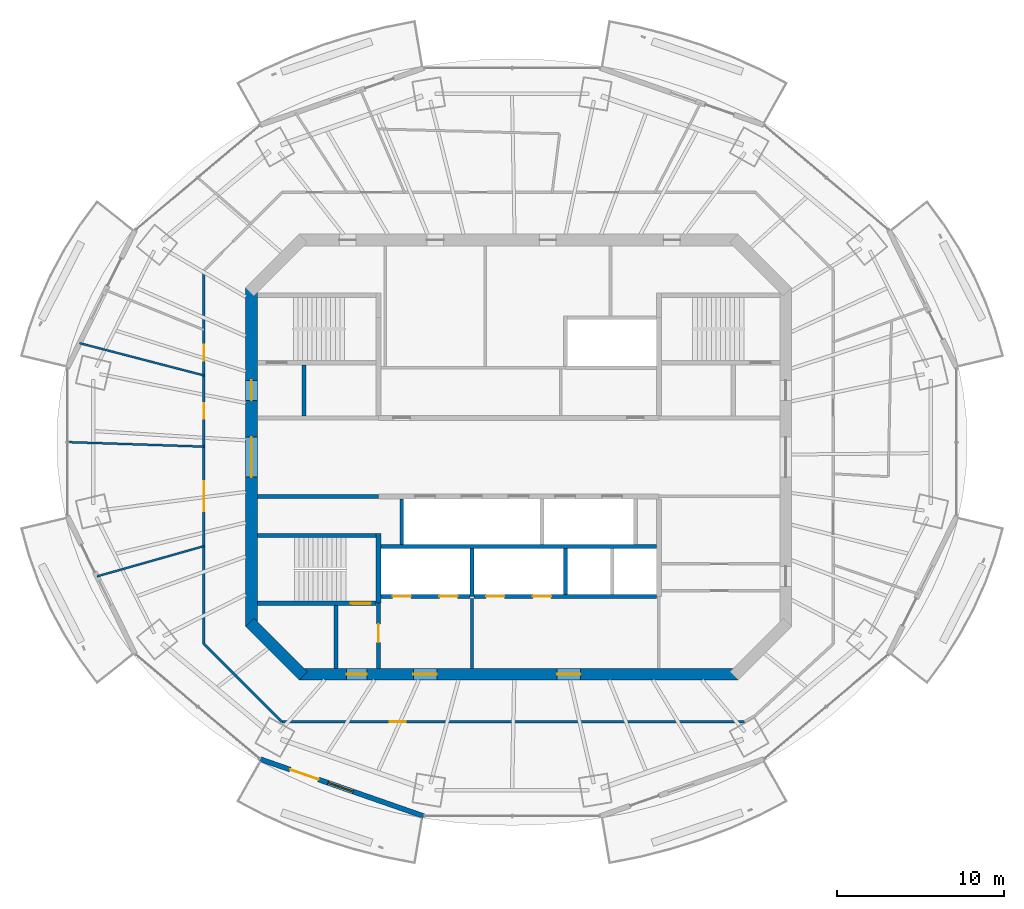
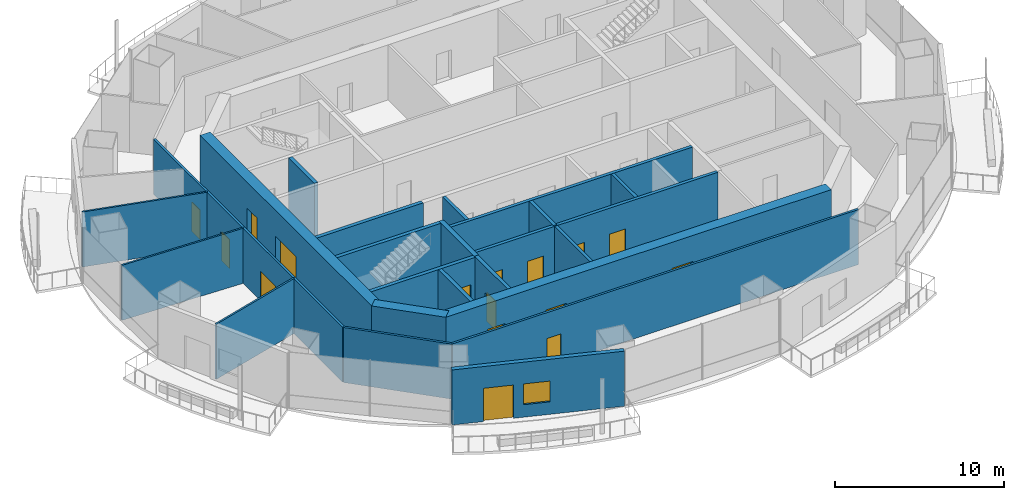
# One storey, part 8 of 16: 24 walls, 16 doors, 1 window, 17 openings.
"""IFC4 building model written with IfcOpenShell, lengths in metres."""

from ifc_helpers import new_model, si_unit, direction, frame, frame_2d, origin, place, context, subcontext, project, spatial, rectangle, extrude, material, layer, layer_set, type_object, element, fill, save


model = new_model("IFC4")

# Units and contexts
model_context = context("Model", 3, precision=1e-05, world=origin(), true_north=direction((0.0, 1.0)))
body_context = subcontext(model_context, "Body", "Model", "MODEL_VIEW")
ifc_project = project(units=[si_unit("LENGTHUNIT", "METRE"), si_unit("AREAUNIT", "SQUARE_METRE"), si_unit("VOLUMEUNIT", "CUBIC_METRE"), si_unit("PLANEANGLEUNIT", "RADIAN"), si_unit("MASSUNIT", "GRAM", prefix="KILO")], contexts=[model_context])

# Site, building, storey
site_placement = place(None, origin())
site = spatial("IfcSite", under=ifc_project, at=site_placement, CompositionType="ELEMENT")
building_placement = place(site_placement, origin())
building = spatial("IfcBuilding", under=site, at=building_placement, Name="Marenthal Gate Tower", CompositionType="ELEMENT")
storey_placement = place(building_placement, frame((0.0, 0.0, 334.300048828125)))
storey = spatial("IfcBuildingStorey", under=building, at=storey_placement, Name="L75", CompositionType="ELEMENT", Elevation=334.300048828125)

# Wall, openings, doors
ifc_material_1 = material(Name="Concrete 60 MPa", Category="concrete")
ifc_layer_1 = layer(ifc_material_1, 0.699951171875)
ifc_layer_set_1 = layer_set([ifc_layer_1], Name="Core shear wall 700")
wall_type_1 = type_object("IfcWallType", Name="Core shear wall 700", PredefinedType="SHEAR", material=ifc_layer_set_1)
wall_1_placement = place(storey_placement, frame((-16.0, 10.14501953125, -0.179931640625), z_axis=(0.0, 0.0, 1.0), x_axis=(0.0, -1.0, 0.0)))
wall_1 = element("IfcWall", 1, at=wall_1_placement, inside=storey, type_object=wall_type_1, Name="Core wall 06", PredefinedType="SHEAR", context=body_context, shape_type="SweptSolid", body=[
    extrude(rectangle(XDim=20.2900390625, YDim=0.699951171875, at=frame_2d((10.14501953125, 0.0))), origin(), (0.0, 0.0, 1.0), 4.14990234375),
])
opening_1_placement = place(wall_1_placement, frame((8.945068359375, 0.0, 0.179931640625)))
opening_1 = element("IfcOpeningElement", 2, at=opening_1_placement, cuts=wall_1, Name="Opening D003.01", PredefinedType="OPENING", context=body_context, shape_type="SweptSolid", body=[
    extrude(rectangle(XDim=2.39990234375, YDim=2.10009765625, at=frame_2d((1.199951171875, 1.050048828125))), frame((0.0, 0.35986328125, 0.0), z_axis=(0.0, -1.0, 0.0), x_axis=(1.0, 0.0, 0.0)), (0.0, 0.0, 1.0), 0.719970703125),
])
opening_2_placement = place(wall_1_placement, frame((5.544921875, 0.0, 0.179931640625)))
opening_2 = element("IfcOpeningElement", 3, at=opening_2_placement, cuts=wall_1, Name="Opening D001.04", PredefinedType="OPENING", context=body_context, shape_type="SweptSolid", body=[
    extrude(rectangle(XDim=1.199951171875, YDim=2.10009765625, at=frame_2d((0.60009765625, 1.050048828125))), frame((0.0, 0.35986328125, 0.0), z_axis=(0.0, -1.0, 0.0), x_axis=(1.0, 0.0, 0.0)), (0.0, 0.0, 1.0), 0.719970703125),
])
ifc_material_2 = material(Name="Steel fire door", Category="steel")
door_type_1 = type_object("IfcDoorType", Name="Double fire door FD 45 2400 x 2100", OperationType="DOUBLE_DOOR_SINGLE_SWING", PredefinedType="DOOR", material=ifc_material_2)
door_1_placement = place(opening_1_placement, origin())
door_1 = element("IfcDoor", 4, at=door_1_placement, inside=storey, type_object=door_type_1, Name="Door D003.01", OperationType="DOUBLE_DOOR_SINGLE_SWING", OverallHeight=2.10009765625, OverallWidth=2.39990234375, PredefinedType="DOOR", context=body_context, shape_type="SweptSolid", body=[
    extrude(rectangle(XDim=2.39990234375, YDim=2.10009765625, at=frame_2d((1.199951171875, 1.050048828125))), frame((0.0, 0.02490234375, 0.0), z_axis=(0.0, -1.0, 0.0), x_axis=(1.0, 0.0, 0.0)), (0.0, 0.0, 1.0), 0.050048828125),
])
fill(opening_1, door_1)
ifc_material_3 = material(Name="Steel fire door", Category="steel")
door_type_2 = type_object("IfcDoorType", Name="Fire door FD 90 1200 x 2100", OperationType="NOTDEFINED", PredefinedType="DOOR", material=ifc_material_3)
door_2_placement = place(opening_2_placement, origin())
door_2 = element("IfcDoor", 5, at=door_2_placement, inside=storey, type_object=door_type_2, Name="Door D001.04", OperationType="SINGLE_SWING_RIGHT", OverallHeight=2.10009765625, OverallWidth=1.199951171875, PredefinedType="DOOR", context=body_context, shape_type="SweptSolid", body=[
    extrude(rectangle(XDim=1.199951171875, YDim=2.10009765625, at=frame_2d((0.60009765625, 1.050048828125))), frame((0.0, 0.02490234375, 0.0), z_axis=(0.0, -1.0, 0.0), x_axis=(1.0, 0.0, 0.0)), (0.0, 0.0, 1.0), 0.050048828125),
])
fill(opening_2, door_2)

# Wall
wall_2_placement = place(storey_placement, frame((-16.1025390625, -9.8974609375, -0.179931640625), z_axis=(0.0, 0.0, 1.0), x_axis=(0.707106781187, -0.707106781187, 0.0)))
element("IfcWall", 6, at=wall_2_placement, inside=storey, type_object=wall_type_1, Name="Core wall 07", PredefinedType="SHEAR", context=body_context, shape_type="SweptSolid", body=[
    extrude(rectangle(XDim=4.53271484375, YDim=0.699951171875, at=frame_2d((2.266357421875, 0.0))), origin(), (0.0, 0.0, 1.0), 4.14990234375),
])

# Wall, openings, doors
wall_3_placement = place(storey_placement, frame((-13.14501953125, -13.0, -0.179931640625), z_axis=(0.0, 0.0, 1.0), x_axis=(1.0, 0.0, 0.0)))
wall_3 = element("IfcWall", 7, at=wall_3_placement, inside=storey, type_object=wall_type_1, Name="Core wall 08", PredefinedType="SHEAR", context=body_context, shape_type="SweptSolid", body=[
    extrude(rectangle(XDim=26.2900390625, YDim=0.699951171875, at=frame_2d((13.14501953125, 0.0))), origin(), (0.0, 0.0, 1.0), 4.14990234375),
])
opening_3_placement = place(wall_3_placement, frame((2.844970703125, 0.0, 0.179931640625)))
opening_3 = element("IfcOpeningElement", 8, at=opening_3_placement, cuts=wall_3, Name="Opening D001.06", PredefinedType="OPENING", context=body_context, shape_type="SweptSolid", body=[
    extrude(rectangle(XDim=1.199951171875, YDim=2.10009765625, at=frame_2d((0.60009765625, 1.050048828125))), frame((0.0, 0.35986328125, 0.0), z_axis=(0.0, -1.0, 0.0), x_axis=(1.0, 0.0, 0.0)), (0.0, 0.0, 1.0), 0.719970703125),
])
opening_4_placement = place(wall_3_placement, frame((6.844970703125, 0.0, 0.179931640625)))
opening_4 = element("IfcOpeningElement", 9, at=opening_4_placement, cuts=wall_3, Name="Opening D004.01", PredefinedType="OPENING", context=body_context, shape_type="SweptSolid", body=[
    extrude(rectangle(XDim=1.39990234375, YDim=2.10009765625, at=frame_2d((0.699951171875, 1.050048828125))), frame((0.0, 0.35986328125, 0.0), z_axis=(0.0, -1.0, 0.0), x_axis=(1.0, 0.0, 0.0)), (0.0, 0.0, 1.0), 0.719970703125),
])
opening_5_placement = place(wall_3_placement, frame((15.445068359375, 0.0, 0.179931640625)))
opening_5 = element("IfcOpeningElement", 10, at=opening_5_placement, cuts=wall_3, Name="Opening D004.02", PredefinedType="OPENING", context=body_context, shape_type="SweptSolid", body=[
    extrude(rectangle(XDim=1.39990234375, YDim=2.10009765625, at=frame_2d((0.699951171875, 1.050048828125))), frame((0.0, 0.35986328125, 0.0), z_axis=(0.0, -1.0, 0.0), x_axis=(1.0, 0.0, 0.0)), (0.0, 0.0, 1.0), 0.719970703125),
])
ifc_material_4 = material(Name="Steel fire door", Category="steel")
door_type_3 = type_object("IfcDoorType", Name="Fire door FD 45 1400 x 2100", OperationType="NOTDEFINED", PredefinedType="DOOR", material=ifc_material_4)
door_3_placement = place(opening_4_placement, origin())
door_3 = element("IfcDoor", 11, at=door_3_placement, inside=storey, type_object=door_type_3, Name="Door D004.01", OperationType="SINGLE_SWING_RIGHT", OverallHeight=2.10009765625, OverallWidth=1.39990234375, PredefinedType="DOOR", context=body_context, shape_type="SweptSolid", body=[
    extrude(rectangle(XDim=1.39990234375, YDim=2.10009765625, at=frame_2d((0.699951171875, 1.050048828125))), frame((0.0, 0.02490234375, 0.0), z_axis=(0.0, -1.0, 0.0), x_axis=(1.0, 0.0, 0.0)), (0.0, 0.0, 1.0), 0.050048828125),
])
fill(opening_4, door_3)
door_4_placement = place(opening_5_placement, origin())
door_4 = element("IfcDoor", 12, at=door_4_placement, inside=storey, type_object=door_type_3, Name="Door D004.02", OperationType="SINGLE_SWING_RIGHT", OverallHeight=2.10009765625, OverallWidth=1.39990234375, PredefinedType="DOOR", context=body_context, shape_type="SweptSolid", body=[
    extrude(rectangle(XDim=1.39990234375, YDim=2.10009765625, at=frame_2d((0.699951171875, 1.050048828125))), frame((0.0, 0.02490234375, 0.0), z_axis=(0.0, -1.0, 0.0), x_axis=(1.0, 0.0, 0.0)), (0.0, 0.0, 1.0), 0.050048828125),
])
fill(opening_5, door_4)
door_5_placement = place(opening_3_placement, origin())
door_5 = element("IfcDoor", 13, at=door_5_placement, inside=storey, type_object=door_type_2, Name="Door D001.06", OperationType="SINGLE_SWING_RIGHT", OverallHeight=2.10009765625, OverallWidth=1.199951171875, PredefinedType="DOOR", context=body_context, shape_type="SweptSolid", body=[
    extrude(rectangle(XDim=1.199951171875, YDim=2.10009765625, at=frame_2d((0.60009765625, 1.050048828125))), frame((0.0, 0.02490234375, 0.0), z_axis=(0.0, -1.0, 0.0), x_axis=(1.0, 0.0, 0.0)), (0.0, 0.0, 1.0), 0.050048828125),
])
fill(opening_3, door_5)

# Walls
ifc_material_5 = material(Name="Gypsum board on steel studs", Category="steel")
ifc_layer_2 = layer(ifc_material_5, 0.199951171875)
ifc_layer_set_2 = layer_set([ifc_layer_2], Name="Fire lobby wall 200")
wall_type_2 = type_object("IfcWallType", Name="Fire lobby wall 200", PredefinedType="PARTITIONING", material=ifc_layer_set_2)
wall_4_placement = place(storey_placement, frame((-2.800048828125, -12.64990234375, 0.0), z_axis=(0.0, 0.0, 1.0), x_axis=(0.0, 1.0, 0.0)))
element("IfcWall", 14, at=wall_4_placement, inside=storey, type_object=wall_type_2, Name="Fire wall 37", PredefinedType="PARTITIONING", context=body_context, shape_type="SweptSolid", body=[
    extrude(rectangle(XDim=4.18994140625, YDim=0.199951171875, at=frame_2d((2.094970703125, 0.0))), origin(), (0.0, 0.0, 1.0), 3.969970703125),
])
ifc_material_6 = material(Name="Concrete 50 MPa", Category="concrete")
ifc_layer_3 = layer(ifc_material_6, 0.300048828125)
ifc_layer_set_3 = layer_set([ifc_layer_3], Name="Hoistway shear wall 300")
wall_type_3 = type_object("IfcWallType", Name="Hoistway shear wall 300", PredefinedType="SHEAR", material=ifc_layer_set_3)
wall_5_placement = place(storey_placement, frame((-8.39990234375, -8.75, -0.179931640625), z_axis=(0.0, 0.0, 1.0), x_axis=(0.0, 1.0, 0.0)))
element("IfcWall", 15, at=wall_5_placement, inside=storey, type_object=wall_type_3, Name="Hoistway wall 32", PredefinedType="SHEAR", context=body_context, shape_type="SweptSolid", body=[
    extrude(rectangle(XDim=4.175048828125, YDim=0.300048828125, at=frame_2d((2.08740234375, 0.0))), origin(), (0.0, 0.0, 1.0), 4.14990234375),
])

# Wall, openings, doors
ifc_material_7 = material(Name="Concrete 40 MPa", Category="concrete")
ifc_layer_4 = layer(ifc_material_7, 0.219970703125)
ifc_layer_set_4 = layer_set([ifc_layer_4], Name="Hoistway wall 220")
wall_type_4 = type_object("IfcWallType", Name="Hoistway wall 220", PredefinedType="STANDARD", material=ifc_layer_set_4)
wall_6_placement = place(storey_placement, frame((-8.25, -8.35009765625, 0.0), z_axis=(0.0, 0.0, 1.0), x_axis=(1.0, 0.0, 0.0)))
wall_6 = element("IfcWall", 16, at=wall_6_placement, inside=storey, type_object=wall_type_4, Name="Hoistway wall 10", PredefinedType="STANDARD", context=body_context, shape_type="SweptSolid", body=[
    extrude(rectangle(XDim=5.340087890625, YDim=0.219970703125, at=frame_2d((2.669921875, 0.0))), origin(), (0.0, 0.0, 1.0), 3.969970703125),
])
opening_6_placement = place(wall_6_placement, frame((0.699951171875, 0.0, 0.0)))
opening_6 = element("IfcOpeningElement", 17, at=opening_6_placement, cuts=wall_6, Name="Opening LD-LF1", PredefinedType="OPENING", context=body_context, shape_type="SweptSolid", body=[
    extrude(rectangle(XDim=1.10009765625, YDim=2.10009765625, at=frame_2d((0.550048828125, 1.050048828125))), frame((0.0, 0.1201171875, 0.0), z_axis=(0.0, -1.0, 0.0), x_axis=(1.0, 0.0, 0.0)), (0.0, 0.0, 1.0), 0.239990234375),
])
opening_7_placement = place(wall_6_placement, frame((3.5, 0.0, 0.0)))
opening_7 = element("IfcOpeningElement", 18, at=opening_7_placement, cuts=wall_6, Name="Opening LD-LF2", PredefinedType="OPENING", context=body_context, shape_type="SweptSolid", body=[
    extrude(rectangle(XDim=1.10009765625, YDim=2.10009765625, at=frame_2d((0.550048828125, 1.050048828125))), frame((0.0, 0.1201171875, 0.0), z_axis=(0.0, -1.0, 0.0), x_axis=(1.0, 0.0, 0.0)), (0.0, 0.0, 1.0), 0.239990234375),
])
ifc_material_8 = material(Name="Stainless steel sliding door", Category="steel")
door_type_4 = type_object("IfcDoorType", Name="Lift landing door FD 90 1100 x 2100", OperationType="DOUBLE_DOOR_SLIDING", PredefinedType="DOOR", material=ifc_material_8)
door_6_placement = place(opening_6_placement, origin())
door_6 = element("IfcDoor", 19, at=door_6_placement, inside=storey, type_object=door_type_4, Name="Lift landing door LF1", OperationType="DOUBLE_DOOR_SLIDING", OverallHeight=2.10009765625, OverallWidth=1.10009765625, PredefinedType="DOOR", context=body_context, shape_type="SweptSolid", body=[
    extrude(rectangle(XDim=1.10009765625, YDim=2.10009765625, at=frame_2d((0.550048828125, 1.050048828125))), frame((0.0, 0.02490234375, 0.0), z_axis=(0.0, -1.0, 0.0), x_axis=(1.0, 0.0, 0.0)), (0.0, 0.0, 1.0), 0.050048828125),
])
fill(opening_6, door_6)
door_7_placement = place(opening_7_placement, origin())
door_7 = element("IfcDoor", 20, at=door_7_placement, inside=storey, type_object=door_type_4, Name="Lift landing door LF2", OperationType="DOUBLE_DOOR_SLIDING", OverallHeight=2.10009765625, OverallWidth=1.10009765625, PredefinedType="DOOR", context=body_context, shape_type="SweptSolid", body=[
    extrude(rectangle(XDim=1.10009765625, YDim=2.10009765625, at=frame_2d((0.550048828125, 1.050048828125))), frame((0.0, 0.02490234375, 0.0), z_axis=(0.0, -1.0, 0.0), x_axis=(1.0, 0.0, 0.0)), (0.0, 0.0, 1.0), 0.050048828125),
])
fill(opening_7, door_7)

wall_7_placement = place(storey_placement, frame((-2.68994140625, -8.35009765625, 0.0), z_axis=(0.0, 0.0, 1.0), x_axis=(1.0, 0.0, 0.0)))
wall_7 = element("IfcWall", 21, at=wall_7_placement, inside=storey, type_object=wall_type_4, Name="Hoistway wall 11", PredefinedType="STANDARD", context=body_context, shape_type="SweptSolid", body=[
    extrude(rectangle(XDim=10.93994140625, YDim=0.219970703125, at=frame_2d((5.469970703125, 0.0))), origin(), (0.0, 0.0, 1.0), 3.969970703125),
])
opening_8_placement = place(wall_7_placement, frame((0.739990234375, 0.0, 0.0)))
opening_8 = element("IfcOpeningElement", 22, at=opening_8_placement, cuts=wall_7, Name="Opening LD-SV1", PredefinedType="OPENING", context=body_context, shape_type="SweptSolid", body=[
    extrude(rectangle(XDim=1.10009765625, YDim=2.10009765625, at=frame_2d((0.550048828125, 1.050048828125))), frame((0.0, 0.1201171875, 0.0), z_axis=(0.0, -1.0, 0.0), x_axis=(1.0, 0.0, 0.0)), (0.0, 0.0, 1.0), 0.239990234375),
])
opening_9_placement = place(wall_7_placement, frame((3.5400390625, 0.0, 0.0)))
opening_9 = element("IfcOpeningElement", 23, at=opening_9_placement, cuts=wall_7, Name="Opening LD-SV2", PredefinedType="OPENING", context=body_context, shape_type="SweptSolid", body=[
    extrude(rectangle(XDim=1.10009765625, YDim=2.10009765625, at=frame_2d((0.550048828125, 1.050048828125))), frame((0.0, 0.1201171875, 0.0), z_axis=(0.0, -1.0, 0.0), x_axis=(1.0, 0.0, 0.0)), (0.0, 0.0, 1.0), 0.239990234375),
])
door_8_placement = place(opening_8_placement, origin())
door_8 = element("IfcDoor", 24, at=door_8_placement, inside=storey, type_object=door_type_4, Name="Lift landing door SV1", OperationType="DOUBLE_DOOR_SLIDING", OverallHeight=2.10009765625, OverallWidth=1.10009765625, PredefinedType="DOOR", context=body_context, shape_type="SweptSolid", body=[
    extrude(rectangle(XDim=1.10009765625, YDim=2.10009765625, at=frame_2d((0.550048828125, 1.050048828125))), frame((0.0, 0.02490234375, 0.0), z_axis=(0.0, -1.0, 0.0), x_axis=(1.0, 0.0, 0.0)), (0.0, 0.0, 1.0), 0.050048828125),
])
fill(opening_8, door_8)
door_9_placement = place(opening_9_placement, origin())
door_9 = element("IfcDoor", 25, at=door_9_placement, inside=storey, type_object=door_type_4, Name="Lift landing door SV2", OperationType="DOUBLE_DOOR_SLIDING", OverallHeight=2.10009765625, OverallWidth=1.10009765625, PredefinedType="DOOR", context=body_context, shape_type="SweptSolid", body=[
    extrude(rectangle(XDim=1.10009765625, YDim=2.10009765625, at=frame_2d((0.550048828125, 1.050048828125))), frame((0.0, 0.02490234375, 0.0), z_axis=(0.0, -1.0, 0.0), x_axis=(1.0, 0.0, 0.0)), (0.0, 0.0, 1.0), 0.050048828125),
])
fill(opening_9, door_9)

# Walls
wall_8_placement = place(storey_placement, frame((-8.25, -5.35009765625, 0.0), z_axis=(0.0, 0.0, 1.0), x_axis=(1.0, 0.0, 0.0)))
element("IfcWall", 26, at=wall_8_placement, inside=storey, type_object=wall_type_4, Name="Hoistway wall 14", PredefinedType="STANDARD", context=body_context, shape_type="SweptSolid", body=[
    extrude(rectangle(XDim=16.5, YDim=0.219970703125, at=frame_2d((8.25, 0.0))), origin(), (0.0, 0.0, 1.0), 3.969970703125),
])
wall_9_placement = place(storey_placement, frame((-7.0, -5.239990234375, 0.0), z_axis=(0.0, 0.0, 1.0), x_axis=(0.0, 1.0, 0.0)))
element("IfcWall", 27, at=wall_9_placement, inside=storey, type_object=wall_type_4, Name="Hoistway wall 36", PredefinedType="STANDARD", context=body_context, shape_type="SweptSolid", body=[
    extrude(rectangle(XDim=2.739990234375, YDim=0.219970703125, at=frame_2d((1.3701171875, 0.0))), origin(), (0.0, 0.0, 1.0), 3.969970703125),
])
wall_10_placement = place(storey_placement, frame((-2.800048828125, -8.35009765625, 0.0), z_axis=(0.0, 0.0, 1.0), x_axis=(0.0, 1.0, 0.0)))
element("IfcWall", 28, at=wall_10_placement, inside=storey, type_object=wall_type_4, Name="Hoistway wall 38", PredefinedType="STANDARD", context=body_context, shape_type="SweptSolid", body=[
    extrude(rectangle(XDim=2.89013671875, YDim=0.219970703125, at=frame_2d((1.445068359375, 0.0))), origin(), (0.0, 0.0, 1.0), 3.969970703125),
])
wall_11_placement = place(storey_placement, frame((2.800048828125, -8.239990234375, 0.0), z_axis=(0.0, 0.0, 1.0), x_axis=(0.0, 1.0, 0.0)))
element("IfcWall", 29, at=wall_11_placement, inside=storey, type_object=wall_type_4, Name="Hoistway wall 42", PredefinedType="STANDARD", context=body_context, shape_type="SweptSolid", body=[
    extrude(rectangle(XDim=2.780029296875, YDim=0.219970703125, at=frame_2d((1.39013671875, 0.0))), origin(), (0.0, 0.0, 1.0), 3.969970703125),
])
ifc_material_9 = material(Name="Gypsum board on steel studs", Category="steel")
ifc_layer_5 = layer(ifc_material_9, 0.1201171875)
ifc_layer_set_5 = layer_set([ifc_layer_5], Name="Partition 120")
wall_type_5 = type_object("IfcWallType", Name="Partition 120", PredefinedType="PARTITIONING", material=ifc_layer_set_5)
wall_12_placement = place(storey_placement, frame((-18.85009765625, -5.331787109375, 0.0), z_axis=(0.0, 0.0, 1.0), x_axis=(-0.962246620086, -0.272179062626, 0.0)))
element("IfcWall", 30, at=wall_12_placement, inside=storey, type_object=wall_type_5, Name="Partition wall 53", PredefinedType="PARTITIONING", context=body_context, shape_type="SweptSolid", body=[
    extrude(rectangle(XDim=6.661865234375, YDim=0.1201171875, at=frame_2d((3.3310546875, 0.0))), origin(), (0.0, 0.0, 1.0), 3.969970703125),
])
wall_13_placement = place(storey_placement, frame((-18.85009765625, 0.627685546875, 0.0), z_axis=(0.0, 0.0, 1.0), x_axis=(-0.999446363227, 0.03327111408, 0.0)))
element("IfcWall", 31, at=wall_13_placement, inside=storey, type_object=wall_type_5, Name="Partition wall 54", PredefinedType="PARTITIONING", context=body_context, shape_type="SweptSolid", body=[
    extrude(rectangle(XDim=8.181884765625, YDim=0.1201171875, at=frame_2d((4.0908203125, 0.0))), origin(), (0.0, 0.0, 1.0), 3.969970703125),
])
wall_14_placement = place(storey_placement, frame((-18.85009765625, 4.89208984375, 0.0), z_axis=(0.0, 0.0, 1.0), x_axis=(-0.96792697071, 0.251231724456, 0.0)))
element("IfcWall", 32, at=wall_14_placement, inside=storey, type_object=wall_type_5, Name="Partition wall 55", PredefinedType="PARTITIONING", context=body_context, shape_type="SweptSolid", body=[
    extrude(rectangle(XDim=7.700439453125, YDim=0.1201171875, at=frame_2d((3.85009765625, 0.0))), origin(), (0.0, 0.0, 1.0), 3.969970703125),
])

# Wall, openings, doors
ifc_material_10 = material(Name="Gypsum board on steel studs", Category="steel")
ifc_layer_6 = layer(ifc_material_10, 0.14990234375)
ifc_layer_set_6 = layer_set([ifc_layer_6], Name="Partition 150")
wall_type_6 = type_object("IfcWallType", Name="Partition 150", PredefinedType="PARTITIONING", material=ifc_layer_set_6)
wall_15_placement = place(storey_placement, frame((-18.85009765625, -11.180419921875, 0.0), z_axis=(0.0, 0.0, 1.0), x_axis=(0.0, 1.0, 0.0)))
wall_15 = element("IfcWall", 33, at=wall_15_placement, inside=storey, type_object=wall_type_6, Name="Partition wall 52", PredefinedType="PARTITIONING", context=body_context, shape_type="SweptSolid", body=[
    extrude(rectangle(XDim=22.36083984375, YDim=0.14990234375, at=frame_2d((11.180419921875, 0.0))), origin(), (0.0, 0.0, 1.0), 3.969970703125),
])
opening_10_placement = place(wall_15_placement, frame((16.9619140625, 0.0, 0.0)))
opening_10 = element("IfcOpeningElement", 34, at=opening_10_placement, cuts=wall_15, Name="Opening D016.04", PredefinedType="OPENING", context=body_context, shape_type="SweptSolid", body=[
    extrude(rectangle(XDim=0.949951171875, YDim=2.10009765625, at=frame_2d((0.47509765625, 1.050048828125))), frame((0.0, 0.0849609375, 0.0), z_axis=(0.0, -1.0, 0.0), x_axis=(1.0, 0.0, 0.0)), (0.0, 0.0, 1.0), 0.169921875),
])
opening_11_placement = place(wall_15_placement, frame((13.466064453125, 0.0, 0.0)))
opening_11 = element("IfcOpeningElement", 35, at=opening_11_placement, cuts=wall_15, Name="Opening D016.05", PredefinedType="OPENING", context=body_context, shape_type="SweptSolid", body=[
    extrude(rectangle(XDim=0.949951171875, YDim=2.10009765625, at=frame_2d((0.47509765625, 1.050048828125))), frame((0.0, 0.0849609375, 0.0), z_axis=(0.0, -1.0, 0.0), x_axis=(1.0, 0.0, 0.0)), (0.0, 0.0, 1.0), 0.169921875),
])
opening_12_placement = place(wall_15_placement, frame((7.928955078125, 0.0, 0.0)))
opening_12 = element("IfcOpeningElement", 36, at=opening_12_placement, cuts=wall_15, Name="Opening D014.04", PredefinedType="OPENING", context=body_context, shape_type="SweptSolid", body=[
    extrude(rectangle(XDim=1.800048828125, YDim=2.10009765625, at=frame_2d((0.89990234375, 1.050048828125))), frame((0.0, 0.0849609375, 0.0), z_axis=(0.0, -1.0, 0.0), x_axis=(1.0, 0.0, 0.0)), (0.0, 0.0, 1.0), 0.169921875),
])
ifc_material_11 = material(Name="Timber door", Category="wood")
door_type_5 = type_object("IfcDoorType", Name="Door 950 x 2100", OperationType="NOTDEFINED", PredefinedType="DOOR", material=ifc_material_11)
door_10_placement = place(opening_10_placement, origin())
door_10 = element("IfcDoor", 37, at=door_10_placement, inside=storey, type_object=door_type_5, Name="Door D016.04", OperationType="SINGLE_SWING_RIGHT", OverallHeight=2.10009765625, OverallWidth=0.949951171875, PredefinedType="DOOR", context=body_context, shape_type="SweptSolid", body=[
    extrude(rectangle(XDim=0.949951171875, YDim=2.10009765625, at=frame_2d((0.47509765625, 1.050048828125))), frame((0.0, 0.02490234375, 0.0), z_axis=(0.0, -1.0, 0.0), x_axis=(1.0, 0.0, 0.0)), (0.0, 0.0, 1.0), 0.050048828125),
])
fill(opening_10, door_10)
door_11_placement = place(opening_11_placement, origin())
door_11 = element("IfcDoor", 38, at=door_11_placement, inside=storey, type_object=door_type_5, Name="Door D016.05", OperationType="SINGLE_SWING_RIGHT", OverallHeight=2.10009765625, OverallWidth=0.949951171875, PredefinedType="DOOR", context=body_context, shape_type="SweptSolid", body=[
    extrude(rectangle(XDim=0.949951171875, YDim=2.10009765625, at=frame_2d((0.47509765625, 1.050048828125))), frame((0.0, 0.02490234375, 0.0), z_axis=(0.0, -1.0, 0.0), x_axis=(1.0, 0.0, 0.0)), (0.0, 0.0, 1.0), 0.050048828125),
])
fill(opening_11, door_11)
ifc_material_12 = material(Name="Timber door", Category="wood")
door_type_6 = type_object("IfcDoorType", Name="Double door 1800 x 2100", OperationType="DOUBLE_DOOR_SINGLE_SWING", PredefinedType="DOOR", material=ifc_material_12)
door_12_placement = place(opening_12_placement, origin())
door_12 = element("IfcDoor", 39, at=door_12_placement, inside=storey, type_object=door_type_6, Name="Door D014.04", OperationType="DOUBLE_DOOR_SINGLE_SWING", OverallHeight=2.10009765625, OverallWidth=1.800048828125, PredefinedType="DOOR", context=body_context, shape_type="SweptSolid", body=[
    extrude(rectangle(XDim=1.800048828125, YDim=2.10009765625, at=frame_2d((0.89990234375, 1.050048828125))), frame((0.0, 0.02490234375, 0.0), z_axis=(0.0, -1.0, 0.0), x_axis=(1.0, 0.0, 0.0)), (0.0, 0.0, 1.0), 0.050048828125),
])
fill(opening_12, door_12)

# Wall
wall_16_placement = place(storey_placement, frame((-14.180419921875, -15.85009765625, 0.0), z_axis=(0.0, 0.0, 1.0), x_axis=(-0.707106781187, 0.707106781187, 0.0)))
element("IfcWall", 40, at=wall_16_placement, inside=storey, type_object=wall_type_6, Name="Partition wall 59", PredefinedType="PARTITIONING", context=body_context, shape_type="SweptSolid", body=[
    extrude(rectangle(XDim=6.60400390625, YDim=0.14990234375, at=frame_2d((3.302001953125, 0.0))), origin(), (0.0, 0.0, 1.0), 3.969970703125),
])

# Wall, opening, door
wall_17_placement = place(storey_placement, frame((13.52099609375, -15.85009765625, 0.0), z_axis=(0.0, 0.0, 1.0), x_axis=(-1.0, 0.0, 0.0)))
wall_17 = element("IfcWall", 41, at=wall_17_placement, inside=storey, type_object=wall_type_6, Name="Partition wall 66", PredefinedType="PARTITIONING", context=body_context, shape_type="SweptSolid", body=[
    extrude(rectangle(XDim=27.701416015625, YDim=0.14990234375, at=frame_2d((13.8505859375, 0.0))), origin(), (0.0, 0.0, 1.0), 3.969970703125),
])
opening_13_placement = place(wall_17_placement, frame((20.283935546875, 0.0, 0.0)))
opening_13 = element("IfcOpeningElement", 42, at=opening_13_placement, cuts=wall_17, Name="Opening D016.06", PredefinedType="OPENING", context=body_context, shape_type="SweptSolid", body=[
    extrude(rectangle(XDim=0.949951171875, YDim=2.10009765625, at=frame_2d((0.47509765625, 1.050048828125))), frame((0.0, 0.0849609375, 0.0), z_axis=(0.0, -1.0, 0.0), x_axis=(1.0, 0.0, 0.0)), (0.0, 0.0, 1.0), 0.169921875),
])
door_13_placement = place(opening_13_placement, frame((0.949951171875, 0.0, 0.0), z_axis=(0.0, 0.0, 1.0), x_axis=(-1.0, 0.0, 0.0)))
door_13 = element("IfcDoor", 43, at=door_13_placement, inside=storey, type_object=door_type_5, Name="Door D016.06", OperationType="SINGLE_SWING_LEFT", OverallHeight=2.10009765625, OverallWidth=0.949951171875, PredefinedType="DOOR", context=body_context, shape_type="SweptSolid", body=[
    extrude(rectangle(XDim=0.949951171875, YDim=2.10009765625, at=frame_2d((0.47509765625, 1.050048828125))), frame((0.0, 0.02490234375, 0.0), z_axis=(0.0, -1.0, 0.0), x_axis=(1.0, 0.0, 0.0)), (0.0, 0.0, 1.0), 0.050048828125),
])
fill(opening_13, door_13)

# Walls
ifc_material_13 = material(Name="Concrete 40 MPa", Category="concrete")
ifc_layer_7 = layer(ifc_material_13, 0.25)
ifc_layer_set_7 = layer_set([ifc_layer_7], Name="Stair enclosure wall 250")
wall_type_7 = type_object("IfcWallType", Name="Stair enclosure wall 250", PredefinedType="STANDARD", material=ifc_layer_set_7)
wall_18_placement = place(storey_placement, frame((-15.64990234375, -2.35009765625, 0.0), z_axis=(0.0, 0.0, 1.0), x_axis=(1.0, 0.0, 0.0)))
element("IfcWall", 44, at=wall_18_placement, inside=storey, type_object=wall_type_7, Name="Stair wall 16", PredefinedType="STANDARD", context=body_context, shape_type="SweptSolid", body=[
    extrude(rectangle(XDim=7.25, YDim=0.25, at=frame_2d((3.625, 0.0))), origin(), (0.0, 0.0, 1.0), 3.969970703125),
])
wall_19_placement = place(storey_placement, frame((-12.85009765625, 2.47509765625, 0.0), z_axis=(0.0, 0.0, 1.0), x_axis=(0.0, 1.0, 0.0)))
element("IfcWall", 45, at=wall_19_placement, inside=storey, type_object=wall_type_7, Name="Stair wall 29", PredefinedType="STANDARD", context=body_context, shape_type="SweptSolid", body=[
    extrude(rectangle(XDim=3.0498046875, YDim=0.25, at=frame_2d((1.52490234375, 0.0))), origin(), (0.0, 0.0, 1.0), 3.969970703125),
])
wall_20_placement = place(storey_placement, frame((-10.949951171875, -12.64990234375, 0.0), z_axis=(0.0, 0.0, 1.0), x_axis=(0.0, 1.0, 0.0)))
element("IfcWall", 46, at=wall_20_placement, inside=storey, type_object=wall_type_7, Name="Stair wall 30", PredefinedType="STANDARD", context=body_context, shape_type="SweptSolid", body=[
    extrude(rectangle(XDim=3.77490234375, YDim=0.25, at=frame_2d((1.887451171875, 0.0))), origin(), (0.0, 0.0, 1.0), 3.969970703125),
])

# Wall, opening, door
wall_21_placement = place(storey_placement, frame((-8.39990234375, -12.64990234375, 0.0), z_axis=(0.0, 0.0, 1.0), x_axis=(0.0, 1.0, 0.0)))
wall_21 = element("IfcWall", 47, at=wall_21_placement, inside=storey, type_object=wall_type_7, Name="Stair wall 31", PredefinedType="STANDARD", context=body_context, shape_type="SweptSolid", body=[
    extrude(rectangle(XDim=3.89990234375, YDim=0.25, at=frame_2d((1.949951171875, 0.0))), origin(), (0.0, 0.0, 1.0), 3.969970703125),
])
opening_14_placement = place(wall_21_placement, frame((1.550048828125, 0.0, 0.0)))
opening_14 = element("IfcOpeningElement", 48, at=opening_14_placement, cuts=wall_21, Name="Opening D002.01", PredefinedType="OPENING", context=body_context, shape_type="SweptSolid", body=[
    extrude(rectangle(XDim=1.10009765625, YDim=2.10009765625, at=frame_2d((0.550048828125, 1.050048828125))), frame((0.0, 0.135009765625, 0.0), z_axis=(0.0, -1.0, 0.0), x_axis=(1.0, 0.0, 0.0)), (0.0, 0.0, 1.0), 0.27001953125),
])
ifc_material_14 = material(Name="Steel fire door", Category="steel")
door_type_7 = type_object("IfcDoorType", Name="Fire door FD 90 1100 x 2100", OperationType="NOTDEFINED", PredefinedType="DOOR", material=ifc_material_14)
door_14_placement = place(opening_14_placement, origin())
door_14 = element("IfcDoor", 49, at=door_14_placement, inside=storey, type_object=door_type_7, Name="Door D002.01", OperationType="SINGLE_SWING_RIGHT", OverallHeight=2.10009765625, OverallWidth=1.10009765625, PredefinedType="DOOR", context=body_context, shape_type="SweptSolid", body=[
    extrude(rectangle(XDim=1.10009765625, YDim=2.10009765625, at=frame_2d((0.550048828125, 1.050048828125))), frame((0.0, 0.02490234375, 0.0), z_axis=(0.0, -1.0, 0.0), x_axis=(1.0, 0.0, 0.0)), (0.0, 0.0, 1.0), 0.050048828125),
])
fill(opening_14, door_14)

ifc_material_15 = material(Name="Concrete 50 MPa", Category="concrete")
ifc_layer_8 = layer(ifc_material_15, 0.25)
ifc_layer_set_8 = layer_set([ifc_layer_8], Name="Stair shear wall 250")
wall_type_8 = type_object("IfcWallType", Name="Stair shear wall 250", PredefinedType="SHEAR", material=ifc_layer_set_8)
wall_22_placement = place(storey_placement, frame((-15.64990234375, -8.75, -0.179931640625), z_axis=(0.0, 0.0, 1.0), x_axis=(1.0, 0.0, 0.0)))
wall_22 = element("IfcWall", 50, at=wall_22_placement, inside=storey, type_object=wall_type_8, Name="Stair wall 09", PredefinedType="SHEAR", context=body_context, shape_type="SweptSolid", body=[
    extrude(rectangle(XDim=7.099853515625, YDim=0.25, at=frame_2d((3.5498046875, 0.0))), origin(), (0.0, 0.0, 1.0), 4.14990234375),
])
opening_15_placement = place(wall_22_placement, frame((5.60009765625, 0.0, 0.179931640625)))
opening_15 = element("IfcOpeningElement", 51, at=opening_15_placement, cuts=wall_22, Name="Opening D001.03", PredefinedType="OPENING", context=body_context, shape_type="SweptSolid", body=[
    extrude(rectangle(XDim=1.199951171875, YDim=2.10009765625, at=frame_2d((0.60009765625, 1.050048828125))), frame((0.0, 0.135009765625, 0.0), z_axis=(0.0, -1.0, 0.0), x_axis=(1.0, 0.0, 0.0)), (0.0, 0.0, 1.0), 0.27001953125),
])
door_15_placement = place(opening_15_placement, origin())
door_15 = element("IfcDoor", 52, at=door_15_placement, inside=storey, type_object=door_type_2, Name="Door D001.03", OperationType="SINGLE_SWING_RIGHT", OverallHeight=2.10009765625, OverallWidth=1.199951171875, PredefinedType="DOOR", context=body_context, shape_type="SweptSolid", body=[
    extrude(rectangle(XDim=1.199951171875, YDim=2.10009765625, at=frame_2d((0.60009765625, 1.050048828125))), frame((0.0, 0.02490234375, 0.0), z_axis=(0.0, -1.0, 0.0), x_axis=(1.0, 0.0, 0.0)), (0.0, 0.0, 1.0), 0.050048828125),
])
fill(opening_15, door_15)

# Wall
wall_23_placement = place(storey_placement, frame((-15.64990234375, -4.699951171875, -0.179931640625), z_axis=(0.0, 0.0, 1.0), x_axis=(1.0, 0.0, 0.0)))
element("IfcWall", 53, at=wall_23_placement, inside=storey, type_object=wall_type_8, Name="Stair wall 15", PredefinedType="SHEAR", context=body_context, shape_type="SweptSolid", body=[
    extrude(rectangle(XDim=7.099853515625, YDim=0.25, at=frame_2d((3.5498046875, 0.0))), origin(), (0.0, 0.0, 1.0), 4.14990234375),
])

# Wall, openings, door, window
ifc_material_16 = material(Name="Terracotta cladding on insulated concrete-block backing", Category="masonry")
ifc_layer_9 = layer(ifc_material_16, 0.300048828125)
ifc_layer_set_9 = layer_set([ifc_layer_9], Name="Terracotta facade wall 300")
wall_type_9 = type_object("IfcWallType", Name="Terracotta facade wall 300", PredefinedType="SOLIDWALL", material=ifc_layer_set_9)
wall_24_placement = place(storey_placement, frame((-15.483154296875, -18.09228515625, 0.0), z_axis=(0.0, 0.0, 1.0), x_axis=(0.944291634301, -0.329109874341, 0.0)))
wall_24 = element("IfcWall", 54, at=wall_24_placement, inside=storey, type_object=wall_type_9, Name="Terracotta facade wall L75 bay 11", PredefinedType="SOLIDWALL", context=body_context, shape_type="SweptSolid", body=[
    extrude(rectangle(XDim=10.364013671875, YDim=0.300048828125, at=frame_2d((5.18212890625, 0.0))), origin(), (0.0, 0.0, 1.0), 3.969970703125),
])
opening_16_placement = place(wall_24_placement, frame((1.89990234375, 0.0, 0.0)))
opening_16 = element("IfcOpeningElement", 55, at=opening_16_placement, cuts=wall_24, Name="Opening BD-L75-11", PredefinedType="OPENING", context=body_context, shape_type="SweptSolid", body=[
    extrude(rectangle(XDim=1.800048828125, YDim=2.39990234375, at=frame_2d((0.89990234375, 1.199951171875))), frame((0.0, 0.16015625, 0.0), z_axis=(0.0, -1.0, 0.0), x_axis=(1.0, 0.0, 0.0)), (0.0, 0.0, 1.0), 0.320068359375),
])
opening_17_placement = place(wall_24_placement, frame((4.300048828125, 0.0, 0.89990234375)))
opening_17 = element("IfcOpeningElement", 56, at=opening_17_placement, cuts=wall_24, Name="Opening WN3-L75-11", PredefinedType="OPENING", context=body_context, shape_type="SweptSolid", body=[
    extrude(rectangle(XDim=1.60009765625, YDim=1.5, at=frame_2d((0.800048828125, 0.75))), frame((0.0, 0.16015625, 0.0), z_axis=(0.0, -1.0, 0.0), x_axis=(1.0, 0.0, 0.0)), (0.0, 0.0, 1.0), 0.320068359375),
])
ifc_material_17 = material(Name="Aluminium and glass", Category="aluminium")
door_type_8 = type_object("IfcDoorType", Name="Balcony door 1800x2400", OperationType="DOUBLE_DOOR_SINGLE_SWING", PredefinedType="DOOR", material=ifc_material_17)
door_16_placement = place(opening_16_placement, origin())
door_16 = element("IfcDoor", 57, at=door_16_placement, inside=storey, type_object=door_type_8, Name="Balcony door L75 bay 11", OperationType="SINGLE_SWING_LEFT", OverallHeight=2.39990234375, OverallWidth=1.800048828125, PredefinedType="DOOR", context=body_context, shape_type="SweptSolid", body=[
    extrude(rectangle(XDim=1.800048828125, YDim=2.39990234375, at=frame_2d((0.89990234375, 1.199951171875))), frame((0.0, 0.02490234375, 0.0), z_axis=(0.0, -1.0, 0.0), x_axis=(1.0, 0.0, 0.0)), (0.0, 0.0, 1.0), 0.050048828125),
])
fill(opening_16, door_16)
ifc_material_18 = material(Name="Aluminium and glass", Category="aluminium")
window_type = type_object("IfcWindowType", Name="Window 1600x1500", PartitioningType="DOUBLE_PANEL_VERTICAL", PredefinedType="WINDOW", material=ifc_material_18)
window_placement = place(opening_17_placement, origin())
window = element("IfcWindow", 58, at=window_placement, inside=storey, type_object=window_type, Name="Window L75 bay 11", OverallHeight=1.5, OverallWidth=1.60009765625, PartitioningType="SINGLE_PANEL", PredefinedType="WINDOW", context=body_context, shape_type="SweptSolid", body=[
    extrude(rectangle(XDim=1.60009765625, YDim=1.5, at=frame_2d((0.800048828125, 0.75))), frame((0.0, 0.030029296875, 0.0), z_axis=(0.0, -1.0, 0.0), x_axis=(1.0, 0.0, 0.0)), (0.0, 0.0, 1.0), 0.06005859375),
])
fill(opening_17, window)

save(model, "model.ifc")
